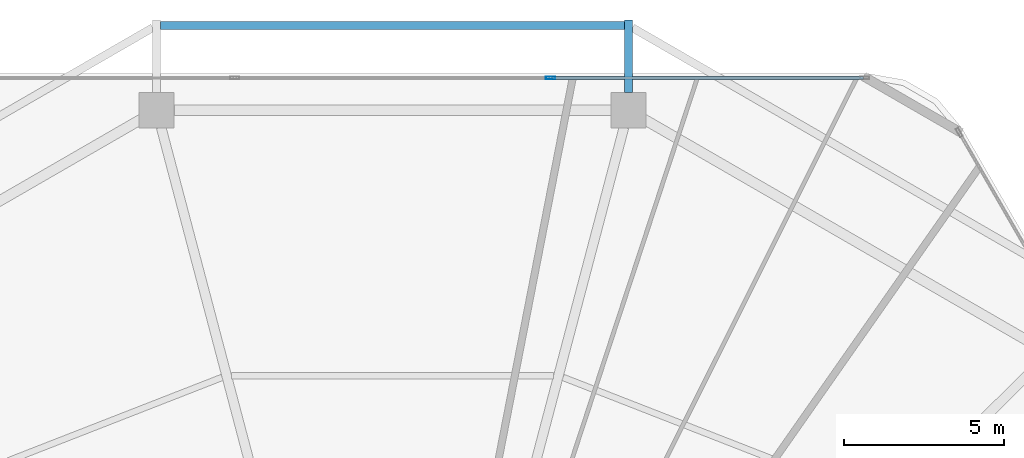
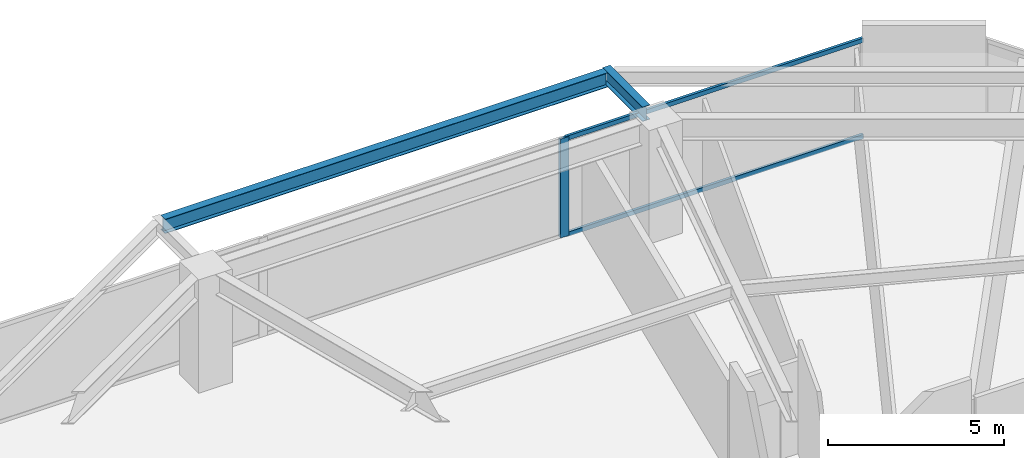
# One storey, part 21 of 28: 3 members, 2 beams, 1 element without a shape of its own.
"""IFC4 building model written with IfcOpenShell, lengths in metres."""

from ifc_helpers import new_model, si_unit, direction, frame, origin, origin_2d, place, context, subcontext, project, spatial, hollow_rectangle, i_section, extrude, material, material_profile, profile_set, type_object, element, aggregate, save


model = new_model("IFC4")

# Units and contexts
model_context = context("Model", 3, precision=1e-05, world=origin(), true_north=direction((0.0, 1.0)))
body_context = subcontext(model_context, "Body", "Model", "MODEL_VIEW")
ifc_project = project(units=[si_unit("LENGTHUNIT", "METRE"), si_unit("AREAUNIT", "SQUARE_METRE"), si_unit("VOLUMEUNIT", "CUBIC_METRE"), si_unit("PLANEANGLEUNIT", "RADIAN"), si_unit("MASSUNIT", "GRAM", prefix="KILO")], contexts=[model_context])

# Site, building, storey
site_placement = place(None, origin())
site = spatial("IfcSite", under=ifc_project, at=site_placement, CompositionType="ELEMENT")
building_placement = place(site_placement, origin())
building = spatial("IfcBuilding", under=site, at=building_placement, Name="Zuhravey Tower", CompositionType="ELEMENT")
storey_placement = place(building_placement, frame((0.0, 0.0, 79.199951171875)))
storey = spatial("IfcBuildingStorey", under=building, at=storey_placement, Name="L19", CompositionType="ELEMENT", Elevation=79.199951171875)

# Curtain wall, members
ifc_material_1 = material(Name="Thermally broken anodised aluminium", Category="aluminium")
curtain_wall_type = type_object("IfcCurtainWallType", Name="School Low-E Unitised Curtain Wall CW1", PredefinedType="NOTDEFINED", material=ifc_material_1)
curtain_wall_placement = place(storey_placement, origin())
curtain_wall = element("IfcCurtainWall", 1, at=curtain_wall_placement, inside=storey, type_object=curtain_wall_type, Name="L19 CW1 CW-L19-F2-1", PredefinedType="NOTDEFINED")
ifc_material_2 = material(Name="Anodised aluminium", Category="aluminium")
ifc_material_profile_1 = material_profile(ifc_material_2, hollow_rectangle(XDim=0.090087890625, YDim=0.284912109375, WallThickness=0.0048828125, at=origin_2d()), Name="ALU-RHS-90x285x5")
ifc_profile_set_1 = profile_set([ifc_material_profile_1], Name="Anodised aluminium")
member_type_1 = type_object("IfcMemberType", Name="Curtain-Wall Mullion 90x180", PredefinedType="MULLION", material=ifc_profile_set_1)
member_1_placement = place(storey_placement, frame((40.93310546875, 60.95849609375, 0.0), z_axis=(0.0, 0.0, 1.0), x_axis=(0.0, 1.0, 0.0)))
member_1 = element("IfcMember", 2, at=member_1_placement, type_object=member_type_1, Name="CW1 mullion 3", PredefinedType="MULLION", context=body_context, shape_type="SweptSolid", body=[
    extrude(hollow_rectangle(XDim=0.090087890625, YDim=0.284912109375, WallThickness=0.0048828125, at=origin_2d()), origin(), (0.0, 0.0, 1.0), 3.420166015625),
])
ifc_material_profile_2 = material_profile(ifc_material_2, hollow_rectangle(XDim=0.090087890625, YDim=0.14990234375, WallThickness=0.0048828125, at=origin_2d()), Name="ALU-RHS-90x150x5")
ifc_profile_set_2 = profile_set([ifc_material_profile_2], Name="Anodised aluminium")
member_type_2 = type_object("IfcMemberType", Name="Curtain-Wall Transom 90x150", PredefinedType="USERDEFINED", material=ifc_profile_set_2)
member_2_placement = place(storey_placement, frame((40.978271484375, 60.95849609375, 0.045166015625), z_axis=(1.0, 0.0, 0.0), x_axis=(0.0, 1.0, 0.0)))
member_2 = element("IfcMember", 3, at=member_2_placement, type_object=member_type_2, Name="CW1 transom 3.1", ObjectType="TRANSOM", PredefinedType="USERDEFINED", context=body_context, shape_type="SweptSolid", body=[
    extrude(hollow_rectangle(XDim=0.090087890625, YDim=0.14990234375, WallThickness=0.0048828125, at=origin_2d()), origin(), (0.0, 0.0, 1.0), 9.731201171875),
])
member_3_placement = place(storey_placement, frame((40.978271484375, 60.95849609375, 3.375), z_axis=(1.0, 0.0, 0.0), x_axis=(0.0, 1.0, 0.0)))
member_3 = element("IfcMember", 4, at=member_3_placement, type_object=member_type_2, Name="CW1 transom 3.2", ObjectType="TRANSOM", PredefinedType="USERDEFINED", context=body_context, shape_type="SweptSolid", body=[
    extrude(hollow_rectangle(XDim=0.090087890625, YDim=0.14990234375, WallThickness=0.0048828125, at=origin_2d()), origin(), (0.0, 0.0, 1.0), 9.731201171875),
])
aggregate(curtain_wall, [member_1, member_2, member_3])

# Beams
ifc_material_3 = material(Name="Steel SM355", Category="steel")
ifc_material_profile_3 = material_profile(ifc_material_3, i_section(OverallWidth=0.25, OverallDepth=0.5, WebThickness=0.010009765625, FlangeThickness=0.01611328125, at=origin_2d()), Name="H-500x250x10x16")
ifc_profile_set_3 = profile_set([ifc_material_profile_3], Name="Steel SM355")
beam_type = type_object("IfcBeamType", Name="Tray Cantilever Spandrel H500x250", PredefinedType="SPANDREL", material=ifc_profile_set_3)
beam_1_placement = place(storey_placement, frame((43.3701171875, 60.50244140625, 3.670166015625), z_axis=(0.0, 1.0, 0.0), x_axis=(-1.0, 0.0, 0.0)))
element("IfcBeam", 5, at=beam_1_placement, inside=storey, type_object=beam_type, Name="L19 Sky-Tray Cantilever Arm TSB1-R03", PredefinedType="SPANDREL", context=body_context, shape_type="SweptSolid", body=[
    extrude(i_section(OverallWidth=0.25, OverallDepth=0.5, WebThickness=0.010009765625, FlangeThickness=0.01611328125, at=origin_2d()), origin(), (0.0, 0.0, 1.0), 2.26611328125),
])
beam_2_placement = place(storey_placement, frame((43.2470703125, 62.598388671875, 3.670166015625), z_axis=(-1.0, 0.0, 0.0), x_axis=(0.0, -1.0, 0.0)))
element("IfcBeam", 6, at=beam_2_placement, inside=storey, type_object=beam_type, Name="L19 Sky-Tray Edge Spandrel TSB1-03", PredefinedType="SPANDREL", context=body_context, shape_type="SweptSolid", body=[
    extrude(i_section(OverallWidth=0.25, OverallDepth=0.5, WebThickness=0.010009765625, FlangeThickness=0.01611328125, at=origin_2d()), origin(), (0.0, 0.0, 1.0), 14.494140625),
])

save(model, "model.ifc")
